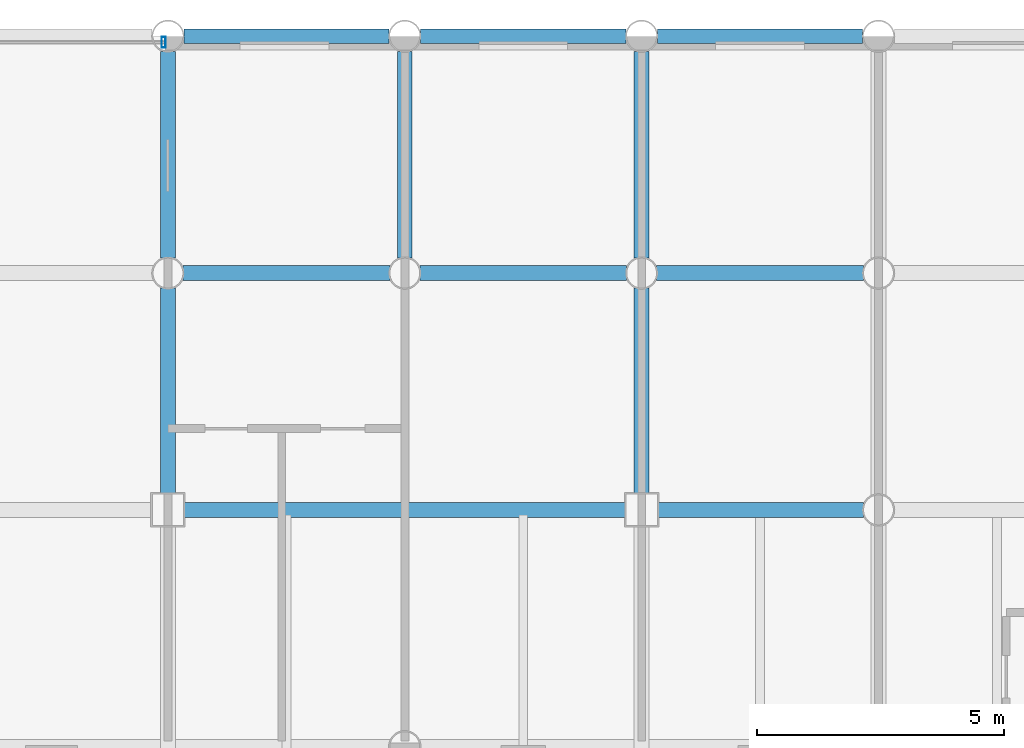
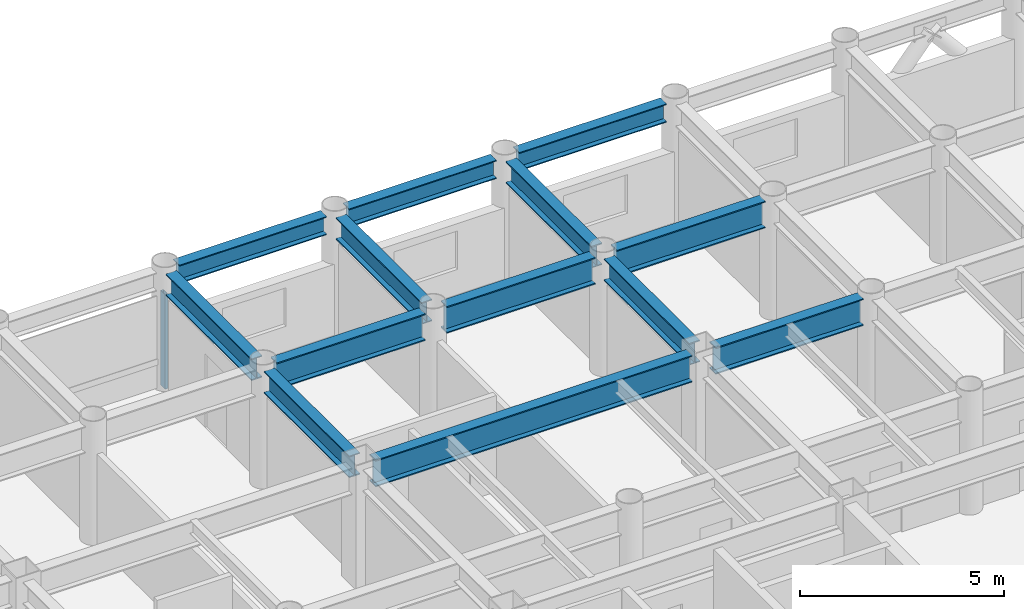
# One storey, part 14 of 22: 13 beams, 1 member, 1 element without a shape of its own.
"""IFC4 building model written with IfcOpenShell, lengths in metres."""

from ifc_helpers import new_model, si_unit, direction, frame, origin, origin_2d, place, context, subcontext, project, spatial, hollow_rectangle, i_section, extrude, material, layer, layer_set, material_profile, profile_set, type_object, element, aggregate, save


model = new_model("IFC4")

# Units and contexts
model_context = context("Model", 3, precision=1e-05, world=origin(), true_north=direction((0.0, 1.0)))
body_context = subcontext(model_context, "Body", "Model", "MODEL_VIEW")
ifc_project = project(units=[si_unit("LENGTHUNIT", "METRE"), si_unit("AREAUNIT", "SQUARE_METRE"), si_unit("VOLUMEUNIT", "CUBIC_METRE"), si_unit("PLANEANGLEUNIT", "RADIAN"), si_unit("MASSUNIT", "GRAM", prefix="KILO")], contexts=[model_context])

# Site, building, storey
site_placement = place(None, origin())
site = spatial("IfcSite", under=ifc_project, at=site_placement, CompositionType="ELEMENT")
building_placement = place(site_placement, origin())
building = spatial("IfcBuilding", under=site, at=building_placement, Name="Kallvorn Hotel Tower", CompositionType="ELEMENT")
storey_placement = place(building_placement, frame((0.0, 0.0, 106.300048828125)))
storey = spatial("IfcBuildingStorey", under=building, at=storey_placement, Name="L25", CompositionType="ELEMENT", Elevation=106.300048828125)

# Beams
ifc_material_1 = material(Name="Structural steel S355JR", Category="steel")
ifc_material_profile_1 = material_profile(ifc_material_1, i_section(OverallWidth=0.300048828125, OverallDepth=0.550048828125, WebThickness=0.014892578125, FlangeThickness=0.029052734375, at=origin_2d()), Name="HE 550 B")
ifc_profile_set_1 = profile_set([ifc_material_profile_1], Name="Structural steel S355JR")
beam_type_1 = type_object("IfcBeamType", Name="BM_HE550B", PredefinedType="SPANDREL", material=ifc_profile_set_1)
beam_1_placement = place(storey_placement, frame((5.1201171875, 24.0, 3.244873046875), z_axis=(1.0, 0.0, 0.0), x_axis=(0.0, 1.0, 0.0)))
element("IfcBeam", 1, at=beam_1_placement, inside=storey, type_object=beam_type_1, Name="L26 Perimeter Spandrel 169", PredefinedType="SPANDREL", context=body_context, shape_type="SweptSolid", body=[
    extrude(i_section(OverallWidth=0.300048828125, OverallDepth=0.550048828125, WebThickness=0.014892578125, FlangeThickness=0.029052734375, at=origin_2d()), origin(), (0.0, 0.0, 1.0), 4.159912109375),
])
beam_2_placement = place(storey_placement, frame((9.919921875, 24.0, 3.244873046875), z_axis=(1.0, 0.0, 0.0), x_axis=(0.0, 1.0, 0.0)))
element("IfcBeam", 2, at=beam_2_placement, inside=storey, type_object=beam_type_1, Name="L26 Perimeter Spandrel 170", PredefinedType="SPANDREL", context=body_context, shape_type="SweptSolid", body=[
    extrude(i_section(OverallWidth=0.300048828125, OverallDepth=0.550048828125, WebThickness=0.014892578125, FlangeThickness=0.029052734375, at=origin_2d()), origin(), (0.0, 0.0, 1.0), 4.16015625),
])
beam_3_placement = place(storey_placement, frame((14.719970703125, 24.0, 3.244873046875), z_axis=(1.0, 0.0, 0.0), x_axis=(0.0, 1.0, 0.0)))
element("IfcBeam", 3, at=beam_3_placement, inside=storey, type_object=beam_type_1, Name="L26 Perimeter Spandrel 171", PredefinedType="SPANDREL", context=body_context, shape_type="SweptSolid", body=[
    extrude(i_section(OverallWidth=0.300048828125, OverallDepth=0.550048828125, WebThickness=0.014892578125, FlangeThickness=0.029052734375, at=origin_2d()), origin(), (0.0, 0.0, 1.0), 4.159912109375),
])
ifc_material_2 = material(Name="Structural steel S355JR", Category="steel")
ifc_material_profile_2 = material_profile(ifc_material_2, i_section(OverallWidth=0.300048828125, OverallDepth=0.64990234375, WebThickness=0.01611328125, FlangeThickness=0.031005859375, at=origin_2d()), Name="HE 650 B")
ifc_profile_set_2 = profile_set([ifc_material_profile_2], Name="Structural steel S355JR")
beam_type_2 = type_object("IfcBeamType", Name="BM_HE650B", PredefinedType="BEAM", material=ifc_profile_set_2)
beam_4_placement = place(storey_placement, frame((4.800048828125, 14.72509765625, 3.195068359375), z_axis=(0.0, 1.0, 0.0), x_axis=(-1.0, 0.0, 0.0)))
element("IfcBeam", 4, at=beam_4_placement, inside=storey, type_object=beam_type_2, Name="L26 Primary Y-Girder 116", PredefinedType="BEAM", context=body_context, shape_type="SweptSolid", body=[
    extrude(i_section(OverallWidth=0.300048828125, OverallDepth=0.64990234375, WebThickness=0.01611328125, FlangeThickness=0.031005859375, at=origin_2d()), origin(), (0.0, 0.0, 1.0), 4.169921875),
])
for number, where, z_axis, x_axis, name in (
    (5, (4.800048828125, 19.5048828125, 3.195068359375), (0.0, 1.0, 0.0), (-1.0, 0.0, 0.0), "L26 Primary Y-Girder 117"),
    (6, (9.60009765625, 19.5048828125, 3.195068359375), (0.0, 1.0, 0.0), (-1.0, 0.0, 0.0), "L26 Primary Y-Girder 120"),
):
    element("IfcBeam", number, at=place(storey_placement, frame(where, z_axis=z_axis, x_axis=x_axis)), inside=storey, type_object=beam_type_2, Name=name, PredefinedType="BEAM", context=body_context, shape_type="SweptSolid", body=[
        extrude(i_section(OverallWidth=0.300048828125, OverallDepth=0.64990234375, WebThickness=0.01611328125, FlangeThickness=0.031005859375, at=origin_2d()), origin(), (0.0, 0.0, 1.0), 4.190185546875),
    ])
beam_5_placement = place(storey_placement, frame((14.39990234375, 14.72509765625, 3.195068359375), z_axis=(0.0, 1.0, 0.0), x_axis=(-1.0, 0.0, 0.0)))
element("IfcBeam", 7, at=beam_5_placement, inside=storey, type_object=beam_type_2, Name="L26 Primary Y-Girder 124", PredefinedType="BEAM", context=body_context, shape_type="SweptSolid", body=[
    extrude(i_section(OverallWidth=0.300048828125, OverallDepth=0.64990234375, WebThickness=0.01611328125, FlangeThickness=0.031005859375, at=origin_2d()), origin(), (0.0, 0.0, 1.0), 4.169921875),
])
beam_6_placement = place(storey_placement, frame((14.39990234375, 19.5048828125, 3.195068359375), z_axis=(0.0, 1.0, 0.0), x_axis=(-1.0, 0.0, 0.0)))
element("IfcBeam", 8, at=beam_6_placement, inside=storey, type_object=beam_type_2, Name="L26 Primary Y-Girder 125", PredefinedType="BEAM", context=body_context, shape_type="SweptSolid", body=[
    extrude(i_section(OverallWidth=0.300048828125, OverallDepth=0.64990234375, WebThickness=0.01611328125, FlangeThickness=0.031005859375, at=origin_2d()), origin(), (0.0, 0.0, 1.0), 4.190185546875),
])
ifc_material_3 = material(Name="Structural steel S355JR", Category="steel")
ifc_material_profile_3 = material_profile(ifc_material_3, i_section(OverallWidth=0.300048828125, OverallDepth=0.800048828125, WebThickness=0.017578125, FlangeThickness=0.032958984375, at=origin_2d()), Name="HE 800 B")
ifc_profile_set_3 = profile_set([ifc_material_profile_3], Name="Structural steel S355JR")
beam_type_3 = type_object("IfcBeamType", Name="BM_HE800B", PredefinedType="BEAM", material=ifc_profile_set_3)
beam_7_placement = place(storey_placement, frame((5.125, 14.39990234375, 3.119873046875), z_axis=(1.0, 0.0, 0.0), x_axis=(0.0, 1.0, 0.0)))
element("IfcBeam", 9, at=beam_7_placement, inside=storey, type_object=beam_type_3, Name="L26 Primary X-Girder 55", PredefinedType="BEAM", context=body_context, shape_type="SweptSolid", body=[
    extrude(i_section(OverallWidth=0.300048828125, OverallDepth=0.800048828125, WebThickness=0.017578125, FlangeThickness=0.032958984375, at=origin_2d()), origin(), (0.0, 0.0, 1.0), 8.949951171875),
])
beam_8_placement = place(storey_placement, frame((14.72509765625, 14.39990234375, 3.119873046875), z_axis=(1.0, 0.0, 0.0), x_axis=(0.0, 1.0, 0.0)))
element("IfcBeam", 10, at=beam_8_placement, inside=storey, type_object=beam_type_3, Name="L26 Primary X-Girder 56", PredefinedType="BEAM", context=body_context, shape_type="SweptSolid", body=[
    extrude(i_section(OverallWidth=0.300048828125, OverallDepth=0.800048828125, WebThickness=0.017578125, FlangeThickness=0.032958984375, at=origin_2d()), origin(), (0.0, 0.0, 1.0), 4.169921875),
])
for number, where, z_axis, x_axis, name in (
    (11, (5.10498046875, 19.199951171875, 3.119873046875), (1.0, 0.0, 0.0), (0.0, 1.0, 0.0), "L26 Primary X-Girder 67"),
    (12, (9.905029296875, 19.199951171875, 3.119873046875), (1.0, 0.0, 0.0), (0.0, 1.0, 0.0), "L26 Primary X-Girder 68"),
    (13, (14.705078125, 19.199951171875, 3.119873046875), (1.0, 0.0, 0.0), (0.0, 1.0, 0.0), "L26 Primary X-Girder 69"),
):
    element("IfcBeam", number, at=place(storey_placement, frame(where, z_axis=z_axis, x_axis=x_axis)), inside=storey, type_object=beam_type_3, Name=name, PredefinedType="BEAM", context=body_context, shape_type="SweptSolid", body=[
        extrude(i_section(OverallWidth=0.300048828125, OverallDepth=0.800048828125, WebThickness=0.017578125, FlangeThickness=0.032958984375, at=origin_2d()), origin(), (0.0, 0.0, 1.0), 4.18994140625),
    ])

# Curtain wall, member
ifc_material_4 = material(Name="Thermally broken black-anodised aluminium AA 6063-T6", Category="aluminium")
ifc_layer = layer(ifc_material_4, 0.199951171875)
ifc_layer_set = layer_set([ifc_layer], Name="CW_SYS_3_HOTEL_LOW")
curtain_wall_type = type_object("IfcCurtainWallType", Name="CW_SYS_3_HOTEL_LOW", PredefinedType="USERDEFINED", material=ifc_layer_set)
curtain_wall_placement = place(storey_placement, origin())
curtain_wall = element("IfcCurtainWall", 14, at=curtain_wall_placement, inside=storey, type_object=curtain_wall_type, Name="L25 Dark-Glass Curtain Wall CW-L25-NC", ObjectType="UNITISED CURTAIN WALL", PredefinedType="USERDEFINED")
ifc_material_5 = material(Name="Thermally broken black-anodised aluminium AA 6063-T6", Category="aluminium")
ifc_material_profile_4 = material_profile(ifc_material_5, hollow_rectangle(XDim=0.080078125, YDim=0.219970703125, WallThickness=0.0048828125, at=origin_2d()), Name="MUL 220x80")
ifc_profile_set_4 = profile_set([ifc_material_profile_4], Name="Thermally broken black-anodised aluminium AA 6063-T6")
member_type = type_object("IfcMemberType", Name="CW_MULLION_220x80", PredefinedType="MULLION", material=ifc_profile_set_4)
member_placement = place(storey_placement, frame((4.7099609375, 23.8798828125, 0.02001953125), z_axis=(0.0, 0.0, 1.0), x_axis=(1.0, 0.0, 0.0)))
member = element("IfcMember", 15, at=member_placement, type_object=member_type, Name="CW-L25-NC Mullion 02", PredefinedType="MULLION", context=body_context, shape_type="SweptSolid", body=[
    extrude(hollow_rectangle(XDim=0.080078125, YDim=0.219970703125, WallThickness=0.0048828125, at=origin_2d()), origin(), (0.0, 0.0, 1.0), 2.829833984375),
])
aggregate(curtain_wall, [member])

save(model, "model.ifc")
